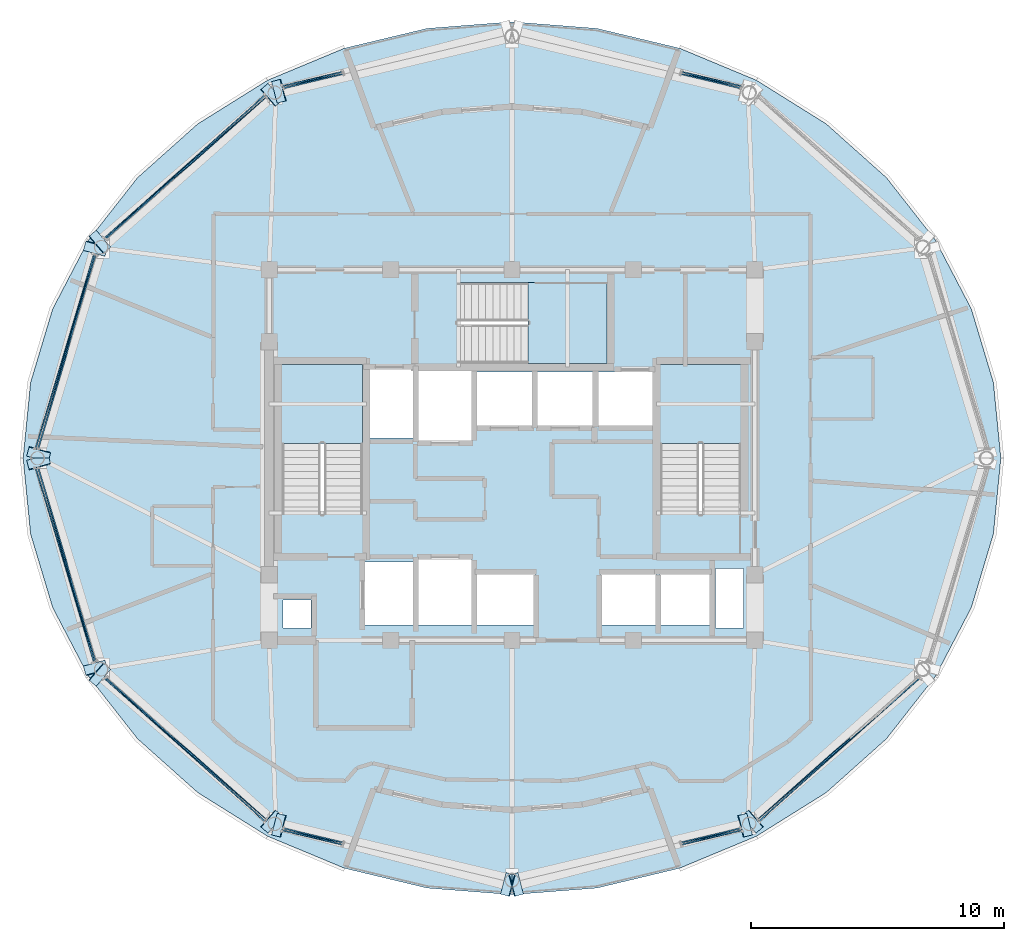
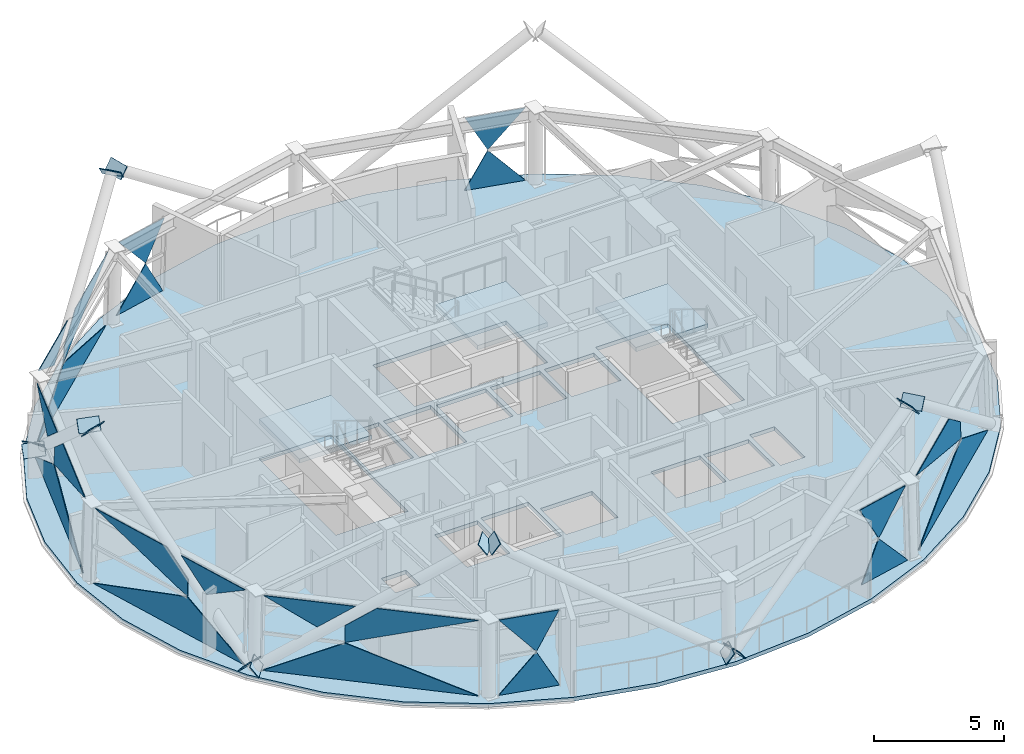
# One storey, part 5 of 13: 36 plates, 4 slabs, 12 elements without a shape of their own.
"""IFC4 building model written with IfcOpenShell, lengths in metres."""

from ifc_helpers import new_model, si_unit, direction, frame, origin, place, context, subcontext, project, spatial, polyline, outline, extrude, material, layer, layer_set, type_object, element, aggregate, save


model = new_model("IFC4")

# Units and contexts
model_context = context("Model", 3, precision=1e-05, world=origin(), true_north=direction((0.0, 1.0)))
body_context = subcontext(model_context, "Body", "Model", "MODEL_VIEW")
ifc_project = project(units=[si_unit("LENGTHUNIT", "METRE"), si_unit("AREAUNIT", "SQUARE_METRE"), si_unit("VOLUMEUNIT", "CUBIC_METRE"), si_unit("PLANEANGLEUNIT", "RADIAN"), si_unit("MASSUNIT", "GRAM", prefix="KILO")], contexts=[model_context])

# Site, building, storey
site_placement = place(None, origin())
site = spatial("IfcSite", under=ifc_project, at=site_placement, CompositionType="ELEMENT")
building_placement = place(site_placement, origin())
building = spatial("IfcBuilding", under=site, at=building_placement, Name="Vantalir Tower", CompositionType="ELEMENT")
storey_placement = place(building_placement, frame((0.0, 0.0, 282.60009765625)))
storey = spatial("IfcBuildingStorey", under=building, at=storey_placement, Name="L71", CompositionType="ELEMENT", Elevation=282.60009765625)

# Curtain wall, plates
ifc_material_1 = material(Name="Champagne-silver PVDF aluminium and double-silver Low-E glass", Category="aluminium")
ifc_layer_1 = layer(ifc_material_1, 0.219970703125)
ifc_layer_set_1 = layer_set([ifc_layer_1], Name="Champagne-silver PVDF aluminium and double-silver Low-E glass")
curtain_wall_type = type_object("IfcCurtainWallType", Name="CW-DIAMOND-Z4", PredefinedType="USERDEFINED", material=ifc_layer_set_1)
curtain_wall_1_placement = place(storey_placement, origin())
curtain_wall_1 = element("IfcCurtainWall", 1, at=curtain_wall_1_placement, inside=storey, type_object=curtain_wall_type, Name="L71 Quilted Pyramid-Diamond Curtain Wall S03", ObjectType="UNITISED CURTAIN WALL", PredefinedType="USERDEFINED")
ifc_material_2 = material(Name="Double-silver Low-E acoustic glass IGU", Category="glass")
ifc_layer_2 = layer(ifc_material_2, 0.031982421875)
ifc_layer_set_2 = layer_set([ifc_layer_2], Name="Double-silver Low-E acoustic glass IGU")
plate_type_1 = type_object("IfcPlateType", Name="CWP-IGU-32", PredefinedType="CURTAIN_PANEL", material=ifc_layer_set_2)
plate_1_placement = place(storey_placement, frame((40.587158203125, 39.720703125, 0.05078125), z_axis=(0.232179070295, 0.972590492432, 0.012673332175), x_axis=(-0.972669706674, 0.232192768469, 0.000399987543)))
plate_1 = element("IfcPlate", 2, at=plate_1_placement, type_object=plate_type_1, Name="CW-L71-S03 Pyramid Diamond Facet 1L", PredefinedType="CURTAIN_PANEL", context=body_context, shape_type="SweptSolid", body=[
    extrude(outline(polyline([(0.0, 0.0), (2.441482286413598, -7.589415207398531e-19), (1.5198138721887335, 1.7187685462664888), (0.0, 0.0)])), origin(), (0.0, 0.0, -1.0), 0.031982421875),
])
plate_2_placement = place(storey_placement, frame((38.177734375, 40.20263671875, 3.51806640625), z_axis=(0.231971409474, 0.97191614135, 0.039601507169), x_axis=(0.972676332281, -0.232165159564, 0.000302167236)))
plate_2 = element("IfcPlate", 3, at=plate_2_placement, type_object=plate_type_1, Name="CW-L71-S03 Pyramid Diamond Facet 2U", PredefinedType="CURTAIN_PANEL", context=body_context, shape_type="SweptSolid", body=[
    extrude(outline(polyline([(0.0, 0.0), (2.4238957373374452, 2.168404344971009e-19), (0.9357642240650415, 1.719893720713502), (0.0, 0.0)])), origin(), (0.0, 0.0, -1.0), 0.031982421875),
])
aggregate(curtain_wall_1, [plate_1, plate_2])

curtain_wall_2_placement = place(storey_placement, origin())
curtain_wall_2 = element("IfcCurtainWall", 4, at=curtain_wall_2_placement, inside=storey, type_object=curtain_wall_type, Name="L71 Quilted Pyramid-Diamond Curtain Wall S04", ObjectType="UNITISED CURTAIN WALL", PredefinedType="USERDEFINED")
plate_3_placement = place(storey_placement, frame((24.78759765625, 40.28759765625, 0.0517578125), z_axis=(-0.232178629892, 0.972588352786, 0.012844448059), x_axis=(-0.972669706674, -0.232192768469, -0.000399987543)))
plate_3 = element("IfcPlate", 5, at=plate_3_placement, type_object=plate_type_1, Name="CW-L71-S04 Pyramid Diamond Facet 1L", PredefinedType="CURTAIN_PANEL", context=body_context, shape_type="SweptSolid", body=[
    extrude(outline(polyline([(0.0, 0.0), (2.441482286413598, 1.0842021724855044e-18), (0.9214876337223729, 1.7187722270655692), (0.0, 0.0)])), origin(), (0.0, 0.0, -1.0), 0.031982421875),
])
plate_4_placement = place(storey_placement, frame((22.465576171875, 39.639892578125, 3.518798828125), z_axis=(-0.231993704591, 0.971908960045, 0.039647123666), x_axis=(0.972670902469, 0.232187907021, -0.000302196842)))
plate_4 = element("IfcPlate", 6, at=plate_4_placement, type_object=plate_type_1, Name="CW-L71-S04 Pyramid Diamond Facet 2U", PredefinedType="CURTAIN_PANEL", context=body_context, shape_type="SweptSolid", body=[
    extrude(outline(polyline([(0.0, 0.0), (2.4236582681925456, 4.7704895589362195e-18), (1.4876582196465342, 1.7198969334149468), (0.0, 0.0)])), origin(), (0.0, 0.0, -1.0), 0.031982421875),
])
aggregate(curtain_wall_2, [plate_3, plate_4])

curtain_wall_3_placement = place(storey_placement, origin())
curtain_wall_3 = element("IfcCurtainWall", 7, at=curtain_wall_3_placement, inside=storey, type_object=curtain_wall_type, Name="L71 Quilted Pyramid-Diamond Curtain Wall S05", ObjectType="UNITISED CURTAIN WALL", PredefinedType="USERDEFINED")
plate_5_placement = place(storey_placement, frame((21.7177734375, 39.357666015625, 0.046875), z_axis=(-0.665075633928, 0.746646187507, 0.013923786745), x_axis=(-0.746718308036, -0.665140411955, 2.8775272e-05)))
plate_5 = element("IfcPlate", 8, at=plate_5_placement, type_object=plate_type_1, Name="CW-L71-S05 Pyramid Diamond Facet 1L", PredefinedType="CURTAIN_PANEL", context=body_context, shape_type="SweptSolid", body=[
    extrude(outline(polyline([(0.0, 0.0), (8.484389830237367, -2.303929616531697e-17), (5.252014702824823, 1.725113762405954), (0.0, 0.0)])), origin(), (0.0, 0.0, -1.0), 0.031982421875),
])
plate_6_placement = place(storey_placement, frame((21.7705078125, 39.27685546875, 3.52294921875), z_axis=(-0.664617659095, 0.746054052857, 0.041069665638), x_axis=(-0.746684060675, -0.665178858303, -7.15328e-07)))
plate_6 = element("IfcPlate", 9, at=plate_6_placement, type_object=plate_type_1, Name="CW-L71-S05 Pyramid Diamond Facet 2U", PredefinedType="CURTAIN_PANEL", context=body_context, shape_type="SweptSolid", body=[
    extrude(outline(polyline([(0.0, 0.0), (4.003641921224441, 0.0), (5.237442410961637, -0.9536817481426545), (5.237550181129225, -1.726553492067711), (0.0, 0.0)])), origin(), (0.0, 0.0, -1.0), 0.031982421875),
])
plate_7_placement = place(storey_placement, frame((18.13525390625, 36.086669921875, 3.5244140625), z_axis=(-0.664580003425, 0.746088586327, 0.04105167962), x_axis=(-0.746719904429, -0.665138616924, -6.7871287e-05)))
plate_7 = element("IfcPlate", 10, at=plate_7_placement, type_object=plate_type_1, Name="CW-L71-S05 Pyramid Diamond Facet 2U Infill Light", PredefinedType="CURTAIN_PANEL", context=body_context, shape_type="SweptSolid", body=[
    extrude(outline(polyline([(0.0, 0.0), (3.5971120366822222, -2.1412992906588713e-18), (1.479885518385712, -1.143685925745315), (0.0, 0.0)])), origin(), (0.0, 0.0, -1.0), 0.031982421875),
])
aggregate(curtain_wall_3, [plate_5, plate_6, plate_7])

curtain_wall_4_placement = place(storey_placement, origin())
curtain_wall_4 = element("IfcCurtainWall", 11, at=curtain_wall_4_placement, inside=storey, type_object=curtain_wall_type, Name="L71 Quilted Pyramid-Diamond Curtain Wall S06", ObjectType="UNITISED CURTAIN WALL", PredefinedType="USERDEFINED")
plate_8_placement = place(storey_placement, frame((14.96337890625, 33.057373046875, 0.047119140625), z_axis=(-0.957520319371, 0.287971889541, 0.01506747575), x_axis=(-0.288005023828, -0.957628897497, -3.0483174e-05)))
plate_8 = element("IfcPlate", 12, at=plate_8_placement, type_object=plate_type_1, Name="CW-L71-S06 Pyramid Diamond Facet 1L", PredefinedType="CURTAIN_PANEL", context=body_context, shape_type="SweptSolid", body=[
    extrude(outline(polyline([(0.0, 0.0), (8.009029128531912, -2.791820594150174e-18), (3.0473659479230424, 1.7248980810936878), (0.0, 0.0)])), origin(), (0.0, 0.0, -1.0), 0.031982421875),
])
plate_9_placement = place(storey_placement, frame((13.847412109375, 28.99755859375, 3.522705078125), z_axis=(-0.956736305909, 0.287792560988, 0.042791153248), x_axis=(-0.288053787166, -0.957614229016, 6.391908e-05)))
plate_9 = element("IfcPlate", 13, at=plate_9_placement, type_object=plate_type_1, Name="CW-L71-S06 Pyramid Diamond Facet 2U", PredefinedType="CURTAIN_PANEL", context=body_context, shape_type="SweptSolid", body=[
    extrude(outline(polyline([(0.0, 0.0), (3.769664868032772, -4.4994390158148434e-18), (-1.161864782191031, -1.7261161681040136), (-1.1618396431293025, -0.9500178545380409), (0.0, 0.0)])), origin(), (0.0, 0.0, -1.0), 0.031982421875),
])
plate_10_placement = place(storey_placement, frame((15.019775390625, 33.020751953125, 3.524169921875), z_axis=(-0.956754815848, 0.287768561977, 0.042537948812), x_axis=(-0.288029271151, -0.957621605312, 0.0)))
plate_10 = element("IfcPlate", 14, at=plate_10_placement, type_object=plate_type_1, Name="CW-L71-S06 Pyramid Diamond Facet 2U Infill Light", PredefinedType="CURTAIN_PANEL", context=body_context, shape_type="SweptSolid", body=[
    extrude(outline(polyline([(0.0, 0.0), (3.385411671365819, 6.938893903907228e-18), (1.9947034777819543, -1.1370154956442515), (0.0, 0.0)])), origin(), (0.0, 0.0, -1.0), 0.031982421875),
])
aggregate(curtain_wall_4, [plate_8, plate_9, plate_10])

curtain_wall_5_placement = place(storey_placement, origin())
curtain_wall_5 = element("IfcCurtainWall", 15, at=curtain_wall_5_placement, inside=storey, type_object=curtain_wall_type, Name="L71 Quilted Pyramid-Diamond Curtain Wall S07", ObjectType="UNITISED CURTAIN WALL", PredefinedType="USERDEFINED")
plate_11_placement = place(storey_placement, frame((12.65673828125, 24.6123046875, 0.046875), z_axis=(-0.957520319371, -0.287971889541, 0.01506747575), x_axis=(0.288005023828, -0.957628897497, 3.0483174e-05)))
plate_11 = element("IfcPlate", 16, at=plate_11_placement, type_object=plate_type_1, Name="CW-L71-S07 Pyramid Diamond Facet 1L", PredefinedType="CURTAIN_PANEL", context=body_context, shape_type="SweptSolid", body=[
    extrude(outline(polyline([(0.0, 0.0), (8.009029128531912, 2.791820594150174e-18), (4.961663180608871, 1.7248980810936876), (0.0, 0.0)])), origin(), (0.0, 0.0, -1.0), 0.031982421875),
])
plate_12_placement = place(storey_placement, frame((12.761474609375, 24.6123046875, 3.52294921875), z_axis=(-0.956736305909, -0.287792560988, 0.042791153248), x_axis=(0.288053787166, -0.957614229016, -6.391908e-05)))
plate_12 = element("IfcPlate", 17, at=plate_12_placement, type_object=plate_type_1, Name="CW-L71-S07 Pyramid Diamond Facet 2U", PredefinedType="CURTAIN_PANEL", context=body_context, shape_type="SweptSolid", body=[
    extrude(outline(polyline([(0.0, 0.0), (3.769664868032772, 4.4994390158148434e-18), (4.931504511162074, -0.9500178545380409), (4.931529650223802, -1.7261161681040134), (0.0, 0.0)])), origin(), (0.0, 0.0, -1.0), 0.031982421875),
])
plate_13_placement = place(storey_placement, frame((14.044677734375, 20.22119140625, 3.524169921875), z_axis=(-0.956754815848, -0.287768561977, 0.042537948812), x_axis=(0.288029271151, -0.957621605312, 0.0)))
plate_13 = element("IfcPlate", 18, at=plate_13_placement, type_object=plate_type_1, Name="CW-L71-S07 Pyramid Diamond Facet 2U Infill Light", PredefinedType="CURTAIN_PANEL", context=body_context, shape_type="SweptSolid", body=[
    extrude(outline(polyline([(0.0, 0.0), (3.385411671365819, -6.938893903907228e-18), (1.3907081935838645, -1.1370154956442515), (0.0, 0.0)])), origin(), (0.0, 0.0, -1.0), 0.031982421875),
])
aggregate(curtain_wall_5, [plate_11, plate_12, plate_13])

curtain_wall_6_placement = place(storey_placement, origin())
curtain_wall_6 = element("IfcCurtainWall", 19, at=curtain_wall_6_placement, inside=storey, type_object=curtain_wall_type, Name="L71 Quilted Pyramid-Diamond Curtain Wall S08", ObjectType="UNITISED CURTAIN WALL", PredefinedType="USERDEFINED")
plate_14_placement = place(storey_placement, frame((15.38232421875, 16.28564453125, 0.047119140625), z_axis=(-0.665075633928, -0.746646187507, 0.013923786745), x_axis=(0.746718308036, -0.665140411955, -2.8775272e-05)))
plate_14 = element("IfcPlate", 20, at=plate_14_placement, type_object=plate_type_1, Name="CW-L71-S08 Pyramid Diamond Facet 1L", PredefinedType="CURTAIN_PANEL", context=body_context, shape_type="SweptSolid", body=[
    extrude(outline(polyline([(0.0, 0.0), (8.484389830237367, 2.303929616531697e-17), (3.232375127412543, 1.725113762405954), (0.0, 0.0)])), origin(), (0.0, 0.0, -1.0), 0.031982421875),
])
plate_15_placement = place(storey_placement, frame((18.78076171875, 13.385986328125, 3.52294921875), z_axis=(-0.664613872642, -0.746068866963, 0.040861302495), x_axis=(0.746692454703, -0.665169435624, -1.056799e-06)))
plate_15 = element("IfcPlate", 21, at=plate_15_placement, type_object=plate_type_1, Name="CW-L71-S08 Pyramid Diamond Facet 2U", PredefinedType="CURTAIN_PANEL", context=body_context, shape_type="SweptSolid", body=[
    extrude(outline(polyline([(0.0, 0.0), (4.002770238132477, -2.7755575615628914e-17), (-1.2338861944535888, -1.7265409184674938), (-1.233799294139806, -0.9539272271004493), (0.0, 0.0)])), origin(), (0.0, 0.0, -1.0), 0.031982421875),
])
plate_16_placement = place(storey_placement, frame((15.44921875, 16.3056640625, 3.524169921875), z_axis=(-0.664616432439, -0.746061675754, 0.040950869379), x_axis=(0.746689875251, -0.665172327739, 6.7874727e-05)))
plate_16 = element("IfcPlate", 22, at=plate_16_placement, type_object=plate_type_1, Name="CW-L71-S08 Pyramid Diamond Facet 2U Infill Light", PredefinedType="CURTAIN_PANEL", context=body_context, shape_type="SweptSolid", body=[
    extrude(outline(polyline([(0.0, 0.0), (3.5969297356836334, 6.288372600415926e-18), (2.116883938907133, -1.1436811745597193), (0.0, 0.0)])), origin(), (0.0, 0.0, -1.0), 0.031982421875),
])
aggregate(curtain_wall_6, [plate_14, plate_15, plate_16])

curtain_wall_7_placement = place(storey_placement, origin())
curtain_wall_7 = element("IfcCurtainWall", 23, at=curtain_wall_7_placement, inside=storey, type_object=curtain_wall_type, Name="L71 Quilted Pyramid-Diamond Curtain Wall S09", ObjectType="UNITISED CURTAIN WALL", PredefinedType="USERDEFINED")
plate_17_placement = place(storey_placement, frame((22.412841796875, 10.279296875, 0.05078125), z_axis=(-0.232179070295, -0.972590492432, 0.012673332175), x_axis=(0.972669706674, -0.232192768469, 0.000399987543)))
plate_17 = element("IfcPlate", 24, at=plate_17_placement, type_object=plate_type_1, Name="CW-L71-S09 Pyramid Diamond Facet 1L", PredefinedType="CURTAIN_PANEL", context=body_context, shape_type="SweptSolid", body=[
    extrude(outline(polyline([(0.0, 0.0), (2.441482286413598, -7.589415207398531e-19), (1.5198138721887335, 1.7187685462664888), (0.0, 0.0)])), origin(), (0.0, 0.0, -1.0), 0.031982421875),
])
plate_18_placement = place(storey_placement, frame((24.822265625, 9.79736328125, 3.51806640625), z_axis=(-0.231971409474, -0.97191614135, 0.039601507169), x_axis=(-0.972676332281, 0.232165159564, 0.000302167236)))
plate_18 = element("IfcPlate", 25, at=plate_18_placement, type_object=plate_type_1, Name="CW-L71-S09 Pyramid Diamond Facet 2U", PredefinedType="CURTAIN_PANEL", context=body_context, shape_type="SweptSolid", body=[
    extrude(outline(polyline([(0.0, 0.0), (2.4238957373374452, 2.168404344971009e-19), (0.9357642240650415, 1.719893720713502), (0.0, 0.0)])), origin(), (0.0, 0.0, -1.0), 0.031982421875),
])
aggregate(curtain_wall_7, [plate_17, plate_18])

curtain_wall_8_placement = place(storey_placement, origin())
curtain_wall_8 = element("IfcCurtainWall", 26, at=curtain_wall_8_placement, inside=storey, type_object=curtain_wall_type, Name="L71 Quilted Pyramid-Diamond Curtain Wall S10", ObjectType="UNITISED CURTAIN WALL", PredefinedType="USERDEFINED")
plate_19_placement = place(storey_placement, frame((38.21240234375, 9.71240234375, 0.0517578125), z_axis=(0.232179070295, -0.972590492432, 0.012673332175), x_axis=(0.972669706674, 0.232192768469, -0.000399987543)))
plate_19 = element("IfcPlate", 27, at=plate_19_placement, type_object=plate_type_1, Name="CW-L71-S10 Pyramid Diamond Facet 1L", PredefinedType="CURTAIN_PANEL", context=body_context, shape_type="SweptSolid", body=[
    extrude(outline(polyline([(0.0, 0.0), (2.441482286413598, 7.589415207398531e-19), (0.9216684142248643, 1.7187685462664886), (0.0, 0.0)])), origin(), (0.0, 0.0, -1.0), 0.031982421875),
])
plate_20_placement = place(storey_placement, frame((40.535400390625, 10.360107421875, 3.518798828125), z_axis=(0.231971409474, -0.97191614135, 0.039601507169), x_axis=(-0.972676332281, -0.232165159564, -0.000302167236)))
plate_20 = element("IfcPlate", 28, at=plate_20_placement, type_object=plate_type_1, Name="CW-L71-S10 Pyramid Diamond Facet 2U", PredefinedType="CURTAIN_PANEL", context=body_context, shape_type="SweptSolid", body=[
    extrude(outline(polyline([(0.0, 0.0), (2.4238957373374452, -2.168404344971009e-19), (1.4881315132724033, 1.7198937207135019), (0.0, 0.0)])), origin(), (0.0, 0.0, -1.0), 0.031982421875),
])
aggregate(curtain_wall_8, [plate_19, plate_20])

curtain_wall_9_placement = place(storey_placement, origin())
curtain_wall_9 = element("IfcCurtainWall", 29, at=curtain_wall_9_placement, inside=storey, type_object=curtain_wall_type, Name="L71 Quilted Pyramid-Diamond Curtain Wall S11", ObjectType="UNITISED CURTAIN WALL", PredefinedType="USERDEFINED")
plate_21_placement = place(storey_placement, frame((41.2822265625, 10.642333984375, 0.046875), z_axis=(0.665075633928, -0.746646187507, 0.013923786745), x_axis=(0.746718308036, 0.665140411955, 2.8775272e-05)))
plate_21 = element("IfcPlate", 30, at=plate_21_placement, type_object=plate_type_1, Name="CW-L71-S11 Pyramid Diamond Facet 1L", PredefinedType="CURTAIN_PANEL", context=body_context, shape_type="SweptSolid", body=[
    extrude(outline(polyline([(0.0, 0.0), (8.484389830237367, -2.303929616531697e-17), (5.252014702824823, 1.725113762405954), (0.0, 0.0)])), origin(), (0.0, 0.0, -1.0), 0.031982421875),
])
plate_22_placement = place(storey_placement, frame((41.23046875, 10.723388671875, 3.52294921875), z_axis=(0.664613872642, -0.746068866963, 0.040861302495), x_axis=(0.746692454703, 0.665169435624, 1.056799e-06)))
plate_22 = element("IfcPlate", 31, at=plate_22_placement, type_object=plate_type_1, Name="CW-L71-S11 Pyramid Diamond Facet 2U", PredefinedType="CURTAIN_PANEL", context=body_context, shape_type="SweptSolid", body=[
    extrude(outline(polyline([(0.0, 0.0), (4.002770238132477, 2.7755575615628914e-17), (5.236569532272283, -0.9539272271004493), (5.236656432586066, -1.7265409184674938), (0.0, 0.0)])), origin(), (0.0, 0.0, -1.0), 0.031982421875),
])
aggregate(curtain_wall_9, [plate_21, plate_22])

# Plates
ifc_material_3 = material(Name="Steel S460", Category="steel")
ifc_layer_3 = layer(ifc_material_3, 0.035888671875)
ifc_layer_set_3 = layer_set([ifc_layer_3], Name="Steel S460")
plate_type_2 = type_object("IfcPlateType", Name="PLT-KN-Z2", PredefinedType="USERDEFINED", material=ifc_layer_set_3)
plate_23_placement = place(storey_placement, frame((21.997314453125, 39.885498046875, 6.892578125), z_axis=(-0.778469439878, -0.201420602926, 0.594487234424), x_axis=(0.250490409734, -0.968119080811, 0.0)))
element("IfcPlate", 32, at=plate_23_placement, inside=storey, type_object=plate_type_2, Name="Node Cap Plate MEM-DG-L71-R10L End", ObjectType="FLANGE_PLATE", PredefinedType="USERDEFINED", context=body_context, shape_type="SweptSolid", body=[
    extrude(outline(polyline([(0.0, 0.0), (0.880109480474101, -2.7755575615628914e-17), (0.8800377606253577, 0.5799100440298638), (-7.171984874328186e-05, 0.5799100440298638), (0.0, 0.0)])), origin(), (0.0, 0.0, -1.0), 0.035888671875),
])
plate_24_placement = place(storey_placement, frame((14.56005859375, 33.21484375, -0.000244140625), z_axis=(-0.205846124445, -0.746286158004, 0.632996321808), x_axis=(0.964015443465, -0.265846234631, 6.5526257e-05)))
element("IfcPlate", 33, at=plate_24_placement, inside=storey, type_object=plate_type_2, Name="Node Cap Plate MEM-DG-L71-R16L Start", ObjectType="FLANGE_PLATE", PredefinedType="USERDEFINED", context=body_context, shape_type="SweptSolid", body=[
    extrude(outline(polyline([(0.0, 0.0), (0.8800376852580634, 0.0), (0.8801635363789253, 0.5798800657592473), (6.094725498517595e-05, 0.5800290481123247), (0.0, 0.0)])), origin(), (0.0, 0.0, -1.0), 0.035888671875),
])
plate_25_placement = place(storey_placement, frame((12.316650390625, 25.08349609375, 6.893798828125), z_axis=(-0.206072299213, -0.746501738755, 0.632668445185), x_axis=(0.963945999971, -0.266097931483, 0.0)))
element("IfcPlate", 34, at=plate_25_placement, inside=storey, type_object=plate_type_2, Name="Node Cap Plate MEM-DG-L71-R16L End", ObjectType="FLANGE_PLATE", PredefinedType="USERDEFINED", context=body_context, shape_type="SweptSolid", body=[
    extrude(outline(polyline([(0.0, 0.0), (0.8798672656719071, -2.7755575615628914e-17), (0.8798678753568265, 0.5800691340610256), (6.096849194471345e-07, 0.5800691340610256), (0.0, 0.0)])), origin(), (0.0, 0.0, -1.0), 0.035888671875),
])
plate_26_placement = place(storey_placement, frame((15.6376953125, 33.3427734375, -0.01025390625), z_axis=(0.601730416807, 0.514012372102, 0.611319709167), x_axis=(-0.649485312861, 0.760374135855, -4.3586421e-05)))
element("IfcPlate", 35, at=plate_26_placement, inside=storey, type_object=plate_type_2, Name="Node Cap Plate MEM-DG-L71-R16R Start", ObjectType="FLANGE_PLATE", PredefinedType="USERDEFINED", context=body_context, shape_type="SweptSolid", body=[
    extrude(outline(polyline([(0.0, 0.0), (0.8800367733856593, 0.0), (0.879830879508744, 0.5800254732492017), (-2.025566015381298e-05, 0.5799285452840427), (0.0, 0.0)])), origin(), (0.0, 0.0, -1.0), 0.035888671875),
])
plate_27_placement = place(storey_placement, frame((22.43017578125, 39.14599609375, 6.89306640625), z_axis=(0.60161733901, 0.514025542526, 0.611419920377), x_axis=(-0.649646685766, 0.760236262435, 9.4620962e-05)))
element("IfcPlate", 36, at=plate_27_placement, inside=storey, type_object=plate_type_2, Name="Node Cap Plate MEM-DG-L71-R16R End", ObjectType="FLANGE_PLATE", PredefinedType="USERDEFINED", context=body_context, shape_type="SweptSolid", body=[
    extrude(outline(polyline([(0.0, 0.0), (0.880009740511242, 1.1102230246251565e-16), (0.8801281567754436, 0.5799285209517618), (9.141685583508233e-05, 0.5801389796451089), (0.0, 0.0)])), origin(), (0.0, 0.0, -1.0), 0.035888671875),
])
plate_28_placement = place(storey_placement, frame((15.066162109375, 15.988037109375, -0.01025390625), z_axis=(0.601730416807, -0.514012372102, 0.611319709167), x_axis=(0.649485312861, 0.760374135855, 4.3586421e-05)))
element("IfcPlate", 37, at=plate_28_placement, inside=storey, type_object=plate_type_2, Name="Node Cap Plate MEM-DG-L71-R22L Start", ObjectType="FLANGE_PLATE", PredefinedType="USERDEFINED", context=body_context, shape_type="SweptSolid", body=[
    extrude(outline(polyline([(0.0, 0.0), (0.8800367733856593, 0.0), (0.8800570290458132, 0.5799285452840427), (0.00020589387691538188, 0.5800254732492016), (0.0, 0.0)])), origin(), (0.0, 0.0, -1.0), 0.035888671875),
])
plate_29_placement = place(storey_placement, frame((21.8583984375, 10.18505859375, 6.89306640625), z_axis=(0.60161733901, -0.514025542526, 0.611419920377), x_axis=(0.649646685766, 0.760236262435, -9.4620962e-05)))
element("IfcPlate", 38, at=plate_29_placement, inside=storey, type_object=plate_type_2, Name="Node Cap Plate MEM-DG-L71-R22L End", ObjectType="FLANGE_PLATE", PredefinedType="USERDEFINED", context=body_context, shape_type="SweptSolid", body=[
    extrude(outline(polyline([(0.0, 0.0), (0.880009740511242, -1.1102230246251565e-16), (0.8799183236554069, 0.5801389796451087), (-0.00011841626420156163, 0.5799285209517617), (0.0, 0.0)])), origin(), (0.0, 0.0, -1.0), 0.035888671875),
])
plate_30_placement = place(storey_placement, frame((15.408447265625, 17.01904296875, -0.000244140625), z_axis=(-0.205846124445, 0.746286158004, 0.632996321808), x_axis=(-0.964015443465, -0.265846234631, -6.5526257e-05)))
element("IfcPlate", 39, at=plate_30_placement, inside=storey, type_object=plate_type_2, Name="Node Cap Plate MEM-DG-L71-R22R Start", ObjectType="FLANGE_PLATE", PredefinedType="USERDEFINED", context=body_context, shape_type="SweptSolid", body=[
    extrude(outline(polyline([(0.0, 0.0), (0.8800376852580634, 0.0), (0.8799767380030782, 0.5800290481123247), (-0.0001258511208619957, 0.5798800657592473), (0.0, 0.0)])), origin(), (0.0, 0.0, -1.0), 0.035888671875),
])
plate_31_placement = place(storey_placement, frame((13.164794921875, 25.150634765625, 6.893798828125), z_axis=(-0.206072299213, 0.746501738755, 0.632668445185), x_axis=(-0.963945999971, -0.266097931483, 0.0)))
element("IfcPlate", 40, at=plate_31_placement, inside=storey, type_object=plate_type_2, Name="Node Cap Plate MEM-DG-L71-R22R End", ObjectType="FLANGE_PLATE", PredefinedType="USERDEFINED", context=body_context, shape_type="SweptSolid", body=[
    extrude(outline(polyline([(0.0, 0.0), (0.8798672656719071, 2.7755575615628914e-17), (0.8798666559869875, 0.5800691340610256), (-6.096849194471345e-07, 0.5800691340610256), (0.0, 0.0)])), origin(), (0.0, 0.0, -1.0), 0.035888671875),
])
plate_32_placement = place(storey_placement, frame((31.95458984375, 7.773193359375, -0.017822265625), z_axis=(0.778630800766, 0.201491220259, 0.594251936687), x_axis=(-0.250535931623, 0.968107301227, 1.6611802e-05)))
element("IfcPlate", 41, at=plate_32_placement, inside=storey, type_object=plate_type_2, Name="Node Cap Plate MEM-DG-L71-R28L Start", ObjectType="FLANGE_PLATE", PredefinedType="USERDEFINED", context=body_context, shape_type="SweptSolid", body=[
    extrude(outline(polyline([(0.0, 0.0), (0.8798731250581168, 0.0), (0.8800617203581628, 0.5800700276700484), (-4.775902154281701e-05, 0.5801063788412002), (0.0, 0.0)])), origin(), (0.0, 0.0, -1.0), 0.035888671875),
])
plate_33_placement = place(storey_placement, frame((41.002685546875, 10.114501953125, 6.892578125), z_axis=(0.778469439878, 0.201420602926, 0.594487234424), x_axis=(-0.250490409734, 0.968119080811, 0.0)))
element("IfcPlate", 42, at=plate_33_placement, inside=storey, type_object=plate_type_2, Name="Node Cap Plate MEM-DG-L71-R28L End", ObjectType="FLANGE_PLATE", PredefinedType="USERDEFINED", context=body_context, shape_type="SweptSolid", body=[
    extrude(outline(polyline([(0.0, 0.0), (0.880109480474101, -2.7755575615628914e-17), (0.8800377606253577, 0.5799100440298638), (-7.171984874328186e-05, 0.5799100440298638), (0.0, 0.0)])), origin(), (0.0, 0.0, -1.0), 0.035888671875),
])
plate_34_placement = place(storey_placement, frame((31.265869140625, 8.625, -0.017822265625), z_axis=(-0.778630800766, 0.201491220259, 0.594251936687), x_axis=(-0.250535931623, -0.968107301227, -1.6611802e-05)))
element("IfcPlate", 43, at=plate_34_placement, inside=storey, type_object=plate_type_2, Name="Node Cap Plate MEM-DG-L71-R28R Start", ObjectType="FLANGE_PLATE", PredefinedType="USERDEFINED", context=body_context, shape_type="SweptSolid", body=[
    extrude(outline(polyline([(0.0, 0.0), (0.8798731250581168, 0.0), (0.8799208840796596, 0.5801063788412002), (-0.00018859530004587728, 0.5800700276700484), (0.0, 0.0)])), origin(), (0.0, 0.0, -1.0), 0.035888671875),
])
plate_35_placement = place(storey_placement, frame((22.2177734375, 10.966552734375, 6.892578125), z_axis=(-0.778469439878, 0.201420602926, 0.594487234424), x_axis=(-0.250490409734, -0.968119080811, 0.0)))
element("IfcPlate", 44, at=plate_35_placement, inside=storey, type_object=plate_type_2, Name="Node Cap Plate MEM-DG-L71-R28R End", ObjectType="FLANGE_PLATE", PredefinedType="USERDEFINED", context=body_context, shape_type="SweptSolid", body=[
    extrude(outline(polyline([(0.0, 0.0), (0.880109480474101, 2.7755575615628914e-17), (0.8801812003228442, 0.5799100440298638), (7.171984874328186e-05, 0.5799100440298638), (0.0, 0.0)])), origin(), (0.0, 0.0, -1.0), 0.035888671875),
])
plate_36_placement = place(storey_placement, frame((40.56982421875, 10.85400390625, 6.89306640625), z_axis=(-0.60161733901, -0.514025542526, 0.611419920377), x_axis=(0.649646685766, -0.760236262435, 9.4620962e-05)))
element("IfcPlate", 45, at=plate_36_placement, inside=storey, type_object=plate_type_2, Name="Node Cap Plate MEM-DG-L71-R34R End", ObjectType="FLANGE_PLATE", PredefinedType="USERDEFINED", context=body_context, shape_type="SweptSolid", body=[
    extrude(outline(polyline([(0.0, 0.0), (0.880009740511242, 1.1102230246251565e-16), (0.8801281567754436, 0.5799285209517618), (9.141685583508233e-05, 0.5801389796451089), (0.0, 0.0)])), origin(), (0.0, 0.0, -1.0), 0.035888671875),
])

# Stair, slab
ifc_material_4 = material(Name="Concrete C40/50", Category="concrete")
stair_type = type_object("IfcStairType", Name="STR-CORE-1450", PredefinedType="HALF_TURN_STAIR", material=ifc_material_4)
stair_1_placement = place(storey_placement, origin())
stair_1 = element("IfcStair", 46, at=stair_1_placement, inside=storey, type_object=stair_type, Name="L71 Core Exit Stair 1", PredefinedType="HALF_TURN_STAIR")
ifc_layer_4 = layer(ifc_material_4, 0.199951171875)
ifc_layer_set_4 = layer_set([ifc_layer_4], Name="Concrete C40/50")
slab_type_1 = type_object("IfcSlabType", Name="SL-LAND-200", PredefinedType="LANDING", material=ifc_layer_set_4)
slab_1_placement = place(storey_placement, frame((0.0, 0.0, 1.6748046875)))
slab_1 = element("IfcSlab", 47, at=slab_1_placement, type_object=slab_type_1, Name="ST1 landing 1", PredefinedType="LANDING", context=body_context, shape_type="SweptSolid", body=[
    extrude(outline(polyline([(25.60009765625, 25.590087890625), (25.60009765625, 28.699951171875), (22.39990234375, 28.699951171875), (22.39990234375, 25.590087890625), (25.60009765625, 25.590087890625)])), origin(), (0.0, 0.0, 1.0), 0.2001953125),
])
aggregate(stair_1, [slab_1])

stair_2_placement = place(storey_placement, origin())
stair_2 = element("IfcStair", 48, at=stair_2_placement, inside=storey, type_object=stair_type, Name="L71 Core Exit Stair 2", PredefinedType="HALF_TURN_STAIR")
slab_2_placement = place(storey_placement, frame((0.0, 0.0, 1.6748046875)))
slab_2 = element("IfcSlab", 49, at=slab_2_placement, type_object=slab_type_1, Name="ST2 landing 1", PredefinedType="LANDING", context=body_context, shape_type="SweptSolid", body=[
    extrude(outline(polyline([(40.550048828125, 25.590087890625), (40.550048828125, 28.699951171875), (37.35009765625, 28.699951171875), (37.35009765625, 25.590087890625), (40.550048828125, 25.590087890625)])), origin(), (0.0, 0.0, 1.0), 0.2001953125),
])
aggregate(stair_2, [slab_2])

stair_3_placement = place(storey_placement, origin())
stair_3 = element("IfcStair", 50, at=stair_3_placement, inside=storey, type_object=stair_type, Name="L71 Core Exit Stair 3", PredefinedType="HALF_TURN_STAIR")
slab_3_placement = place(storey_placement, frame((0.0, 0.0, 1.6748046875)))
slab_3 = element("IfcSlab", 51, at=slab_3_placement, type_object=slab_type_1, Name="ST3 landing 1", PredefinedType="LANDING", context=body_context, shape_type="SweptSolid", body=[
    extrude(outline(polyline([(32.139892578125, 28.75), (35.25, 28.75), (35.25, 31.949951171875), (32.139892578125, 31.949951171875), (32.139892578125, 28.75)])), origin(), (0.0, 0.0, 1.0), 0.2001953125),
])
aggregate(stair_3, [slab_3])

# Slab
ifc_layer_5 = layer(ifc_material_4, 0.179931640625)
ifc_layer_set_5 = layer_set([ifc_layer_5], Name="Concrete C40/50")
slab_type_2 = type_object("IfcSlabType", Name="SL-TWR-180", PredefinedType="FLOOR", material=ifc_layer_set_5)
slab_4_placement = place(storey_placement, frame((0.0, 0.0, -0.18017578125)))
element("IfcSlab", 52, at=slab_4_placement, inside=storey, type_object=slab_type_2, Name="L71 Primary Structural Slab", PredefinedType="FLOOR", context=body_context, shape_type="SweptSolid", body=[
    extrude(outline(polyline([(16.699951171875, 13.912109375), (19.0810546875, 11.785888671875), (21.840087890625, 10.06103515625), (24.89208984375, 8.7900390625), (28.14501953125, 8.011962890625), (31.5, 7.75), (34.85498046875, 8.011962890625), (38.10791015625, 8.7900390625), (41.159912109375, 10.06103515625), (43.9189453125, 11.785888671875), (46.300048828125, 13.912109375), (48.23193359375, 16.375), (49.655029296875, 19.10009765625), (50.52587890625, 22.0048828125), (50.820068359375, 25.0), (50.52587890625, 27.9951171875), (49.655029296875, 30.89990234375), (48.23193359375, 33.625), (46.300048828125, 36.087890625), (43.9189453125, 38.214111328125), (41.159912109375, 39.93896484375), (38.10791015625, 41.2099609375), (34.85498046875, 41.988037109375), (31.5, 42.25), (28.14501953125, 41.988037109375), (24.89208984375, 41.2099609375), (21.840087890625, 39.93896484375), (19.0810546875, 38.214111328125), (16.699951171875, 36.087890625), (14.76806640625, 33.625), (13.344970703125, 30.89990234375), (12.47412109375, 27.9951171875), (12.179931640625, 25.0), (12.47412109375, 22.0048828125), (13.344970703125, 19.10009765625), (14.76806640625, 16.375), (16.699951171875, 13.912109375)]), holes=[polyline([(22.39990234375, 28.699951171875), (25.60009765625, 28.699951171875), (25.60009765625, 22.7900390625), (22.39990234375, 22.7900390625), (22.39990234375, 28.699951171875)]), polyline([(40.550048828125, 28.699951171875), (40.550048828125, 22.7900390625), (37.35009765625, 22.7900390625), (37.35009765625, 28.699951171875), (40.550048828125, 28.699951171875)]), polyline([(29.340087890625, 28.75), (29.340087890625, 31.949951171875), (35.25, 31.949951171875), (35.25, 28.75), (29.340087890625, 28.75)]), polyline([(25.699951171875, 18.39990234375), (25.699951171875, 20.89990234375), (27.60009765625, 20.89990234375), (27.60009765625, 18.39990234375), (25.699951171875, 18.39990234375)]), polyline([(25.699951171875, 28.5), (27.60009765625, 28.5), (27.60009765625, 25.800048828125), (25.699951171875, 25.800048828125), (25.699951171875, 28.5)]), polyline([(29.89990234375, 21.0), (29.89990234375, 18.39990234375), (27.800048828125, 18.39990234375), (27.800048828125, 21.0), (29.89990234375, 21.0)]), polyline([(29.89990234375, 25.699951171875), (27.800048828125, 25.699951171875), (27.800048828125, 28.5), (29.89990234375, 28.5), (29.89990234375, 25.699951171875)]), polyline([(30.10009765625, 18.39990234375), (30.10009765625, 20.39990234375), (32.39990234375, 20.39990234375), (32.39990234375, 18.39990234375), (30.10009765625, 18.39990234375)]), polyline([(37.35009765625, 20.39990234375), (39.35009765625, 20.39990234375), (39.35009765625, 18.39990234375), (37.35009765625, 18.39990234375), (37.35009765625, 20.39990234375)]), polyline([(37.199951171875, 20.39990234375), (37.199951171875, 18.39990234375), (35.0, 18.39990234375), (35.0, 20.39990234375), (37.199951171875, 20.39990234375)]), polyline([(32.300048828125, 26.300048828125), (30.10009765625, 26.300048828125), (30.10009765625, 28.39990234375), (32.300048828125, 28.39990234375), (32.300048828125, 26.300048828125)]), polyline([(32.5, 26.300048828125), (32.5, 28.39990234375), (34.699951171875, 28.39990234375), (34.699951171875, 26.300048828125), (32.5, 26.300048828125)]), polyline([(34.89990234375, 28.39990234375), (37.10009765625, 28.39990234375), (37.10009765625, 26.300048828125), (34.89990234375, 26.300048828125), (34.89990234375, 28.39990234375)]), polyline([(23.550048828125, 19.39990234375), (23.550048828125, 18.300048828125), (22.449951171875, 18.300048828125), (22.449951171875, 19.39990234375), (23.550048828125, 19.39990234375)]), polyline([(40.64990234375, 18.300048828125), (39.550048828125, 18.300048828125), (39.550048828125, 20.64990234375), (40.64990234375, 20.64990234375), (40.64990234375, 18.300048828125)])]), origin(), (0.0, 0.0, 1.0), 0.18017578125),
])

save(model, "model.ifc")
